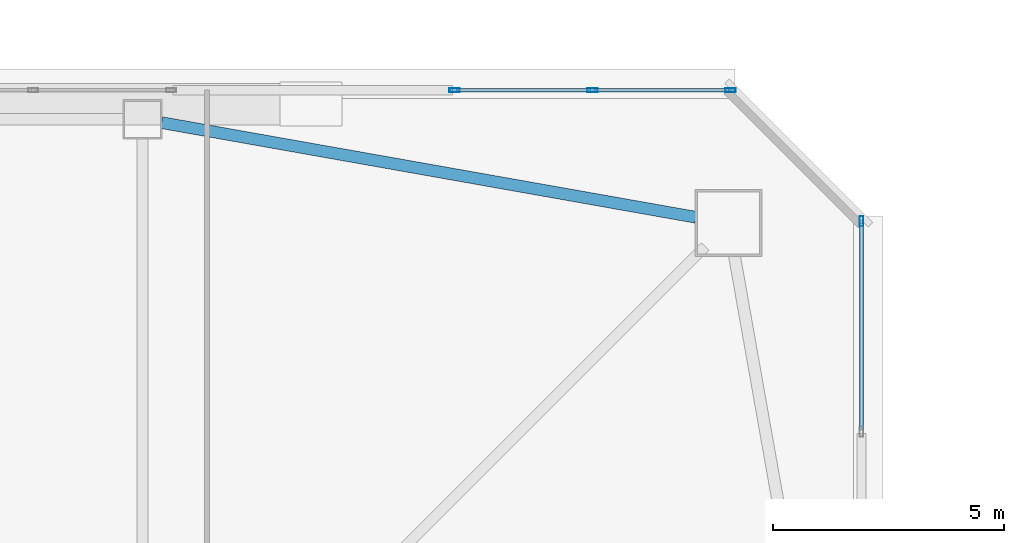
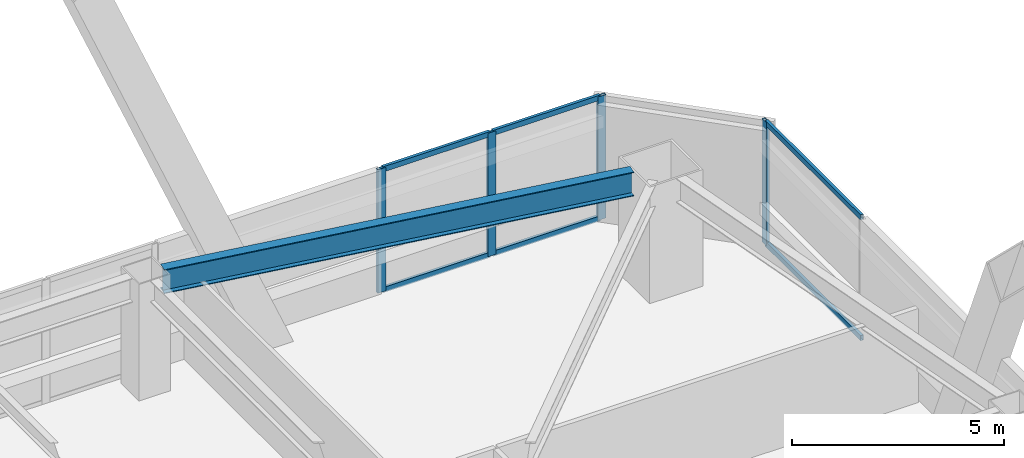
# One storey, part 22 of 54: 10 members, 1 beam, 2 elements without a shape of their own.
"""IFC4 building model written with IfcOpenShell, lengths in metres."""

from ifc_helpers import new_model, si_unit, direction, frame, origin, origin_2d, place, context, subcontext, project, spatial, hollow_rectangle, i_section, extrude, material, material_profile, profile_set, type_object, element, aggregate, save


model = new_model("IFC4")

# Units and contexts
model_context = context("Model", 3, precision=1e-05, world=origin(), true_north=direction((0.0, 1.0)))
body_context = subcontext(model_context, "Body", "Model", "MODEL_VIEW")
ifc_project = project(units=[si_unit("LENGTHUNIT", "METRE"), si_unit("AREAUNIT", "SQUARE_METRE"), si_unit("VOLUMEUNIT", "CUBIC_METRE"), si_unit("PLANEANGLEUNIT", "RADIAN"), si_unit("MASSUNIT", "GRAM", prefix="KILO")], contexts=[model_context])

# Site, building, storey
site_placement = place(None, origin())
site = spatial("IfcSite", under=ifc_project, at=site_placement, CompositionType="ELEMENT")
building_placement = place(site_placement, origin())
building = spatial("IfcBuilding", under=site, at=building_placement, Name="Tashvorn Skyway Center", CompositionType="ELEMENT")
storey_placement = place(building_placement, frame((0.0, 0.0, 88.5)))
storey = spatial("IfcBuildingStorey", under=building, at=storey_placement, Name="L23", CompositionType="ELEMENT", Elevation=88.5)

# Beam
ifc_material_1 = material(Name="Steel ASTM A992 Grade 50", Category="steel")
ifc_material_profile_1 = material_profile(ifc_material_1, i_section(OverallWidth=0.256103515625, OverallDepth=0.693115234375, WebThickness=0.014404296875, FlangeThickness=0.023681640625, at=origin_2d()), Name="W27X114")
ifc_profile_set_1 = profile_set([ifc_material_profile_1], Name="Steel ASTM A992 Grade 50")
beam_type = type_object("IfcBeamType", Name="BM-SPANDREL-W27X114", PredefinedType="SPANDREL", material=ifc_profile_set_1)
beam_placement = place(storey_placement, frame((59.39111328125, 50.2255859375, 3.00341796875), z_axis=(-0.98466816531, 0.174437966698, 0.0), x_axis=(-0.174437966698, -0.98466816531, 0.0)))
element("IfcBeam", 1, at=beam_placement, inside=storey, type_object=beam_type, Name="Tower 1 L23 Spandrel Beam 07", PredefinedType="SPANDREL", context=body_context, shape_type="SweptSolid", body=[
    extrude(i_section(OverallWidth=0.256103515625, OverallDepth=0.693115234375, WebThickness=0.014404296875, FlangeThickness=0.023681640625, at=origin_2d()), origin(), (0.0, 0.0, 1.0), 11.7578125),
])

# Curtain wall, members
ifc_material_2 = material(Name="Thermally broken bronze-anodized aluminium 6063-T6", Category="aluminium")
curtain_wall_type = type_object("IfcCurtainWallType", Name="CW-CW-Z2", PredefinedType="NOTDEFINED", material=ifc_material_2)
curtain_wall_1_placement = place(storey_placement, origin())
curtain_wall_1 = element("IfcCurtainWall", 2, at=curtain_wall_1_placement, inside=storey, type_object=curtain_wall_type, Name="Tower 1 L23 North Unitised Curtain Wall Glazing Group 3", PredefinedType="NOTDEFINED")
ifc_material_profile_2 = material_profile(ifc_material_2, hollow_rectangle(XDim=0.080078125, YDim=0.219970703125, WallThickness=0.0048828125, at=origin_2d()), Name="ALU-MULL-80x220")
ifc_profile_set_2 = profile_set([ifc_material_profile_2], Name="Thermally broken bronze-anodized aluminium 6063-T6")
member_type_1 = type_object("IfcMemberType", Name="CWM-CW-Z2", PredefinedType="MULLION", material=ifc_profile_set_2)
member_1_placement = place(storey_placement, frame((54.159912109375, 52.97998046875, 0.0), z_axis=(0.0, 0.0, 1.0), x_axis=(0.0, 1.0, 0.0)))
member_1 = element("IfcMember", 3, at=member_1_placement, type_object=member_type_1, Name="CW-Z2 mullion 1", PredefinedType="MULLION", context=body_context, shape_type="SweptSolid", body=[
    extrude(hollow_rectangle(XDim=0.080078125, YDim=0.219970703125, WallThickness=0.0048828125, at=origin_2d()), origin(), (0.0, 0.0, 1.0), 3.550048828125),
])
member_2_placement = place(storey_placement, frame((57.14990234375, 52.97998046875, 0.0), z_axis=(0.0, 0.0, 1.0), x_axis=(0.0, 1.0, 0.0)))
member_2 = element("IfcMember", 4, at=member_2_placement, type_object=member_type_1, Name="CW-Z2 mullion 2", PredefinedType="MULLION", context=body_context, shape_type="SweptSolid", body=[
    extrude(hollow_rectangle(XDim=0.080078125, YDim=0.219970703125, WallThickness=0.0048828125, at=origin_2d()), origin(), (0.0, 0.0, 1.0), 3.550048828125),
])
member_3_placement = place(storey_placement, frame((60.139892578125, 52.97998046875, 0.0), z_axis=(0.0, 0.0, 1.0), x_axis=(0.0, 1.0, 0.0)))
member_3 = element("IfcMember", 5, at=member_3_placement, type_object=member_type_1, Name="CW-Z2 mullion 3", PredefinedType="MULLION", context=body_context, shape_type="SweptSolid", body=[
    extrude(hollow_rectangle(XDim=0.080078125, YDim=0.219970703125, WallThickness=0.0048828125, at=origin_2d()), origin(), (0.0, 0.0, 1.0), 3.550048828125),
])

# Curtain wall, member
curtain_wall_2_placement = place(storey_placement, origin())
curtain_wall_2 = element("IfcCurtainWall", 6, at=curtain_wall_2_placement, inside=storey, type_object=curtain_wall_type, Name="Tower 1 L23 East Curtain Wall L Glazing Group 1", PredefinedType="NOTDEFINED")
member_4_placement = place(storey_placement, frame((62.97998046875, 50.139892578125, 0.0), z_axis=(0.0, 0.0, 1.0), x_axis=(1.0, 0.0, 0.0)))
member_4 = element("IfcMember", 7, at=member_4_placement, type_object=member_type_1, Name="CW-Z2 mullion 1", PredefinedType="MULLION", context=body_context, shape_type="SweptSolid", body=[
    extrude(hollow_rectangle(XDim=0.080078125, YDim=0.219970703125, WallThickness=0.0048828125, at=origin_2d()), origin(), (0.0, 0.0, 1.0), 3.550048828125),
])

# Member
ifc_material_profile_3 = material_profile(ifc_material_2, hollow_rectangle(XDim=0.080078125, YDim=0.14990234375, WallThickness=0.00439453125, at=origin_2d()), Name="ALU-TRAN-80x150")
ifc_profile_set_3 = profile_set([ifc_material_profile_3], Name="Thermally broken bronze-anodized aluminium 6063-T6")
member_type_2 = type_object("IfcMemberType", Name="CWT-CW-Z2", PredefinedType="USERDEFINED", material=ifc_profile_set_3)
member_5_placement = place(storey_placement, frame((54.199951171875, 52.97998046875, 0.0400390625), z_axis=(1.0, 0.0, 0.0), x_axis=(0.0, 1.0, 0.0)))
member_5 = element("IfcMember", 8, at=member_5_placement, type_object=member_type_2, Name="CW-Z2 transom 1.1", ObjectType="TRANSOM", PredefinedType="USERDEFINED", context=body_context, shape_type="SweptSolid", body=[
    extrude(hollow_rectangle(XDim=0.080078125, YDim=0.14990234375, WallThickness=0.00439453125, at=origin_2d()), origin(), (0.0, 0.0, 1.0), 2.91015625),
])

member_6_placement = place(storey_placement, frame((54.199951171875, 52.97998046875, 3.510009765625), z_axis=(1.0, 0.0, 0.0), x_axis=(0.0, 1.0, 0.0)))
member_6 = element("IfcMember", 9, at=member_6_placement, type_object=member_type_2, Name="CW-Z2 transom 1.2", ObjectType="TRANSOM", PredefinedType="USERDEFINED", context=body_context, shape_type="SweptSolid", body=[
    extrude(hollow_rectangle(XDim=0.080078125, YDim=0.14990234375, WallThickness=0.00439453125, at=origin_2d()), origin(), (0.0, 0.0, 1.0), 2.91015625),
])

member_7_placement = place(storey_placement, frame((57.18994140625, 52.97998046875, 0.0400390625), z_axis=(1.0, 0.0, 0.0), x_axis=(0.0, 1.0, 0.0)))
member_7 = element("IfcMember", 10, at=member_7_placement, type_object=member_type_2, Name="CW-Z2 transom 2.1", ObjectType="TRANSOM", PredefinedType="USERDEFINED", context=body_context, shape_type="SweptSolid", body=[
    extrude(hollow_rectangle(XDim=0.080078125, YDim=0.14990234375, WallThickness=0.00439453125, at=origin_2d()), origin(), (0.0, 0.0, 1.0), 2.91015625),
])

member_8_placement = place(storey_placement, frame((57.18994140625, 52.97998046875, 3.510009765625), z_axis=(1.0, 0.0, 0.0), x_axis=(0.0, 1.0, 0.0)))
member_8 = element("IfcMember", 11, at=member_8_placement, type_object=member_type_2, Name="CW-Z2 transom 2.2", ObjectType="TRANSOM", PredefinedType="USERDEFINED", context=body_context, shape_type="SweptSolid", body=[
    extrude(hollow_rectangle(XDim=0.080078125, YDim=0.14990234375, WallThickness=0.00439453125, at=origin_2d()), origin(), (0.0, 0.0, 1.0), 2.91015625),
])

aggregate(curtain_wall_1, [member_1, member_2, member_3, member_5, member_6, member_7, member_8])

member_9_placement = place(storey_placement, frame((62.97998046875, 50.10009765625, 0.0400390625), z_axis=(0.0, -1.0, 0.0), x_axis=(1.0, 0.0, 0.0)))
member_9 = element("IfcMember", 12, at=member_9_placement, type_object=member_type_2, Name="CW-Z2 transom 1.1", ObjectType="TRANSOM", PredefinedType="USERDEFINED", context=body_context, shape_type="SweptSolid", body=[
    extrude(hollow_rectangle(XDim=0.080078125, YDim=0.14990234375, WallThickness=0.00439453125, at=origin_2d()), origin(), (0.0, 0.0, 1.0), 4.4833984375),
])

member_10_placement = place(storey_placement, frame((62.97998046875, 50.10009765625, 3.510009765625), z_axis=(0.0, -1.0, 0.0), x_axis=(1.0, 0.0, 0.0)))
member_10 = element("IfcMember", 13, at=member_10_placement, type_object=member_type_2, Name="CW-Z2 transom 1.2", ObjectType="TRANSOM", PredefinedType="USERDEFINED", context=body_context, shape_type="SweptSolid", body=[
    extrude(hollow_rectangle(XDim=0.080078125, YDim=0.14990234375, WallThickness=0.00439453125, at=origin_2d()), origin(), (0.0, 0.0, 1.0), 4.4833984375),
])

aggregate(curtain_wall_2, [member_4, member_9, member_10])

save(model, "model.ifc")
